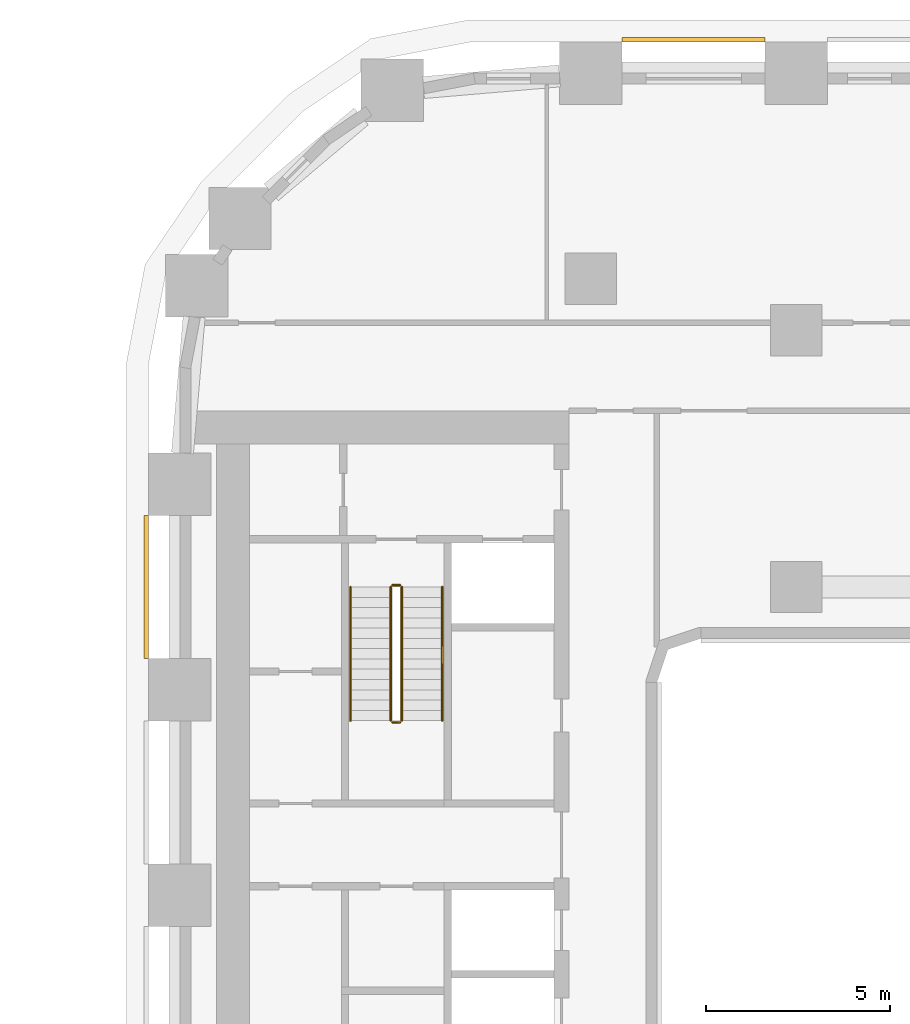
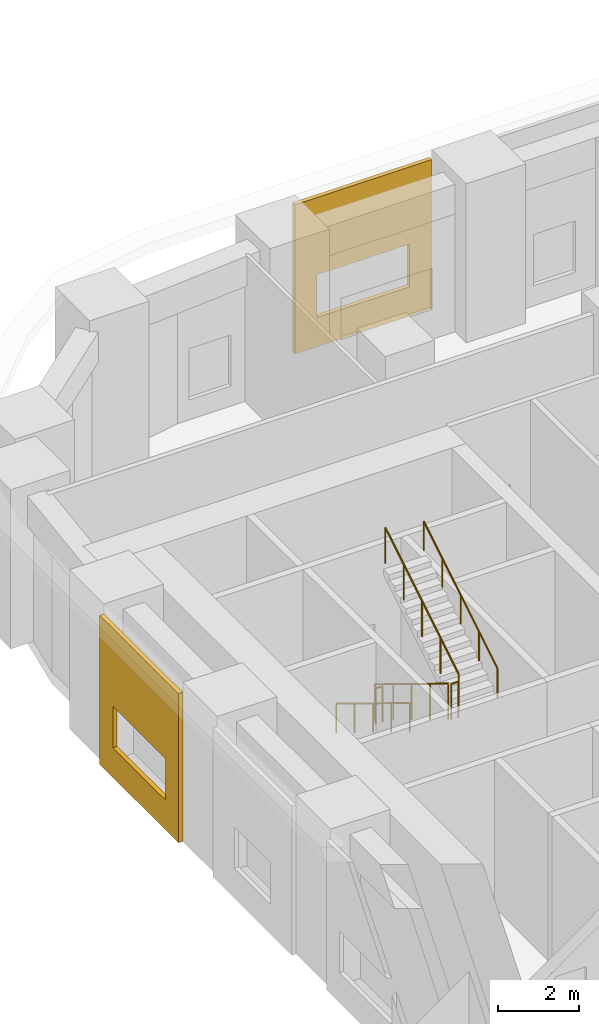
# One storey, part 31 of 35: 6 railings, 2 coverings.
"""IFC4 building model written with IfcOpenShell, lengths in metres."""

from ifc_helpers import new_model, si_unit, direction, frame, origin, origin_2d, place, context, subcontext, project, spatial, polyline, circle, outline, extrude, material, layer, layer_set, type_object, element, save


model = new_model("IFC4")

# Units and contexts
model_context = context("Model", 3, precision=1e-05, world=origin(), true_north=direction((0.0, 1.0)))
body_context = subcontext(model_context, "Body", "Model", "MODEL_VIEW")
ifc_project = project(units=[si_unit("LENGTHUNIT", "METRE"), si_unit("AREAUNIT", "SQUARE_METRE"), si_unit("VOLUMEUNIT", "CUBIC_METRE"), si_unit("PLANEANGLEUNIT", "RADIAN"), si_unit("MASSUNIT", "GRAM", prefix="KILO")], contexts=[model_context])

# Site, building, storey
site_placement = place(None, origin())
site = spatial("IfcSite", under=ifc_project, at=site_placement, CompositionType="ELEMENT")
building_placement = place(site_placement, origin())
building = spatial("IfcBuilding", under=site, at=building_placement, Name="Kiln Ring Residences", CompositionType="ELEMENT")
storey_placement = place(building_placement, frame((0.0, 0.0, 20.89990234375)))
storey = spatial("IfcBuildingStorey", under=building, at=storey_placement, Name="L04", CompositionType="ELEMENT", Elevation=20.89990234375)

# Railings
ifc_material_1 = material(Name="Stainless steel", Category="steel")
railing_type_1 = type_object("IfcRailingType", Name="CORE-STAIR-GUARD", PredefinedType="GUARDRAIL", material=ifc_material_1)
railing_1_placement = place(storey_placement, frame((-22.25, 8.39990234375, 0.171630859375)))
element("IfcRailing", 1, at=railing_1_placement, inside=storey, type_object=railing_type_1, Name="L04 W-STN stair guard 1", PredefinedType="GUARDRAIL", context=body_context, shape_type="SweptSolid", body=[
    extrude(circle(Radius=0.02392578125, at=origin_2d()), frame((0.0, 0.0, 1.076171875), z_axis=(0.0, -0.852850264322, 0.5221555579), x_axis=(1.0, 0.0, 0.0)), (0.0, 0.0, 1.0), 4.267822265625),
    extrude(circle(Radius=0.02099609375, at=origin_2d()), origin(), (0.0, 0.0, 1.0), 1.052001953125),
    extrude(circle(Radius=0.02099609375, at=origin_2d()), frame((0.0, -0.909912109375, 0.55712890625)), (0.0, 0.0, 1.0), 1.052001953125),
    extrude(circle(Radius=0.02099609375, at=origin_2d()), frame((0.0, -1.81982421875, 1.1142578125)), (0.0, 0.0, 1.0), 1.052001953125),
    extrude(circle(Radius=0.02099609375, at=origin_2d()), frame((0.0, -2.72998046875, 1.67138671875)), (0.0, 0.0, 1.0), 1.052001953125),
    extrude(circle(Radius=0.02099609375, at=origin_2d()), frame((0.0, -3.639892578125, 2.228515625)), (0.0, 0.0, 1.0), 1.052001953125),
])
railing_2_placement = place(storey_placement, frame((-22.199951171875, 4.7099609375, 2.400146484375)))
element("IfcRailing", 2, at=railing_2_placement, inside=storey, type_object=railing_type_1, Name="L04 W-STN stair guard 2", PredefinedType="GUARDRAIL", context=body_context, shape_type="SweptSolid", body=[
    extrude(circle(Radius=0.02392578125, at=origin_2d()), frame((0.0, 0.0, 1.076171875), z_axis=(1.0, 0.0, 0.0), x_axis=(0.0, 1.0, 0.0)), (0.0, 0.0, 1.0), 0.199951171875),
    extrude(circle(Radius=0.02099609375, at=origin_2d()), origin(), (0.0, 0.0, 1.0), 1.052001953125),
    extrude(circle(Radius=0.02099609375, at=origin_2d()), frame((0.199951171875, 0.0, 0.0)), (0.0, 0.0, 1.0), 1.052001953125),
])
railing_3_placement = place(storey_placement, frame((-21.949951171875, 4.760009765625, 2.571533203125)))
element("IfcRailing", 3, at=railing_3_placement, inside=storey, type_object=railing_type_1, Name="L04 W-STN stair guard 3", PredefinedType="GUARDRAIL", context=body_context, shape_type="SweptSolid", body=[
    extrude(circle(Radius=0.02392578125, at=origin_2d()), frame((0.0, 0.0, 1.076171875), z_axis=(0.0, 0.852850264322, 0.5221555579), x_axis=(-1.0, 0.0, 0.0)), (0.0, 0.0, 1.0), 4.267822265625),
    extrude(circle(Radius=0.02099609375, at=origin_2d()), origin(), (0.0, 0.0, 1.0), 1.052001953125),
    extrude(circle(Radius=0.02099609375, at=origin_2d()), frame((0.0, 0.909912109375, 0.55712890625)), (0.0, 0.0, 1.0), 1.052001953125),
    extrude(circle(Radius=0.02099609375, at=origin_2d()), frame((0.0, 1.81982421875, 1.1142578125)), (0.0, 0.0, 1.0), 1.052001953125),
    extrude(circle(Radius=0.02099609375, at=origin_2d()), frame((0.0, 2.72998046875, 1.67138671875)), (0.0, 0.0, 1.0), 1.052001953125),
    extrude(circle(Radius=0.02099609375, at=origin_2d()), frame((0.0, 3.639892578125, 2.228515625)), (0.0, 0.0, 1.0), 1.052001953125),
])
railing_4_placement = place(storey_placement, frame((-22.199951171875, 8.449951171875, 0.0)))
element("IfcRailing", 4, at=railing_4_placement, inside=storey, type_object=railing_type_1, Name="L04 W-STN stair guard 4", PredefinedType="GUARDRAIL", context=body_context, shape_type="SweptSolid", body=[
    extrude(circle(Radius=0.02392578125, at=origin_2d()), frame((0.0, 0.0, 1.076171875), z_axis=(1.0, 0.0, 0.0), x_axis=(0.0, 1.0, 0.0)), (0.0, 0.0, 1.0), 0.199951171875),
    extrude(circle(Radius=0.02099609375, at=origin_2d()), origin(), (0.0, 0.0, 1.0), 1.052001953125),
    extrude(circle(Radius=0.02099609375, at=origin_2d()), frame((0.199951171875, 0.0, 0.0)), (0.0, 0.0, 1.0), 1.052001953125),
])
ifc_material_2 = material(Name="Stainless steel", Category="steel")
railing_type_2 = type_object("IfcRailingType", Name="CORE-STAIR-HANDRAIL", PredefinedType="HANDRAIL", material=ifc_material_2)
railing_5_placement = place(storey_placement, frame((-23.35009765625, 8.39990234375, 0.171630859375)))
element("IfcRailing", 5, at=railing_5_placement, inside=storey, type_object=railing_type_2, Name="L04 W-STN stair handrail 1", PredefinedType="HANDRAIL", context=body_context, shape_type="SweptSolid", body=[
    extrude(circle(Radius=0.02392578125, at=origin_2d()), frame((0.0, 0.0, 0.8759765625), z_axis=(0.0, -0.852850264322, 0.5221555579), x_axis=(1.0, 0.0, 0.0)), (0.0, 0.0, 1.0), 4.267822265625),
    extrude(circle(Radius=0.02099609375, at=origin_2d()), origin(), (0.0, 0.0, 1.0), 0.851806640625),
    extrude(circle(Radius=0.02099609375, at=origin_2d()), frame((0.0, -0.909912109375, 0.55712890625)), (0.0, 0.0, 1.0), 0.851806640625),
    extrude(circle(Radius=0.02099609375, at=origin_2d()), frame((0.0, -1.81982421875, 1.1142578125)), (0.0, 0.0, 1.0), 0.851806640625),
    extrude(circle(Radius=0.02099609375, at=origin_2d()), frame((0.0, -2.72998046875, 1.67138671875)), (0.0, 0.0, 1.0), 0.851806640625),
    extrude(circle(Radius=0.02099609375, at=origin_2d()), frame((0.0, -3.639892578125, 2.228515625)), (0.0, 0.0, 1.0), 0.851806640625),
])
railing_6_placement = place(storey_placement, frame((-20.85009765625, 4.760009765625, 2.571533203125)))
element("IfcRailing", 6, at=railing_6_placement, inside=storey, type_object=railing_type_2, Name="L04 W-STN stair handrail 2", PredefinedType="HANDRAIL", context=body_context, shape_type="SweptSolid", body=[
    extrude(circle(Radius=0.02392578125, at=origin_2d()), frame((0.0, 0.0, 0.8759765625), z_axis=(0.0, 0.852850264322, 0.5221555579), x_axis=(-1.0, 0.0, 0.0)), (0.0, 0.0, 1.0), 4.267822265625),
    extrude(circle(Radius=0.02099609375, at=origin_2d()), origin(), (0.0, 0.0, 1.0), 0.851806640625),
    extrude(circle(Radius=0.02099609375, at=origin_2d()), frame((0.0, 0.909912109375, 0.55712890625)), (0.0, 0.0, 1.0), 0.851806640625),
    extrude(circle(Radius=0.02099609375, at=origin_2d()), frame((0.0, 1.81982421875, 1.1142578125)), (0.0, 0.0, 1.0), 0.851806640625),
    extrude(circle(Radius=0.02099609375, at=origin_2d()), frame((0.0, 2.72998046875, 1.67138671875)), (0.0, 0.0, 1.0), 0.851806640625),
    extrude(circle(Radius=0.02099609375, at=origin_2d()), frame((0.0, 3.639892578125, 2.228515625)), (0.0, 0.0, 1.0), 0.851806640625),
])

# Coverings
ifc_material_3 = material(Name="Brick masonry, dark clay brick", Category="masonry")
ifc_layer = layer(ifc_material_3, 0.1201171875)
ifc_layer_set = layer_set([ifc_layer], Name="RAINSCREEN PANEL 120")
covering_type = type_object("IfcCoveringType", Name="RAINSCREEN PANEL 120", PredefinedType="CLADDING", material=ifc_layer_set)
covering_1_placement = place(storey_placement, frame((-12.050048828125, 23.31005859375, 0.0), z_axis=(0.0, 0.0, 1.0), x_axis=(-1.0, 0.0, 0.0)))
element("IfcCovering", 7, at=covering_1_placement, inside=storey, type_object=covering_type, Name="RAINSCREEN L04", PredefinedType="CLADDING", context=body_context, shape_type="SweptSolid", body=[
    extrude(outline(polyline([(0.0, 0.0), (3.89990234375, 0.0), (3.89990234375, 4.5), (0.0, 4.5), (0.0, 0.0)]), holes=[polyline([(0.6298828125, 2.170166015625), (0.6298828125, 0.880126953125), (3.27001953125, 0.880126953125), (3.27001953125, 2.170166015625), (0.6298828125, 2.170166015625)])]), frame((0.0, 0.06005859375, 0.0), z_axis=(0.0, -1.0, 0.0), x_axis=(1.0, 0.0, 0.0)), (0.0, 0.0, 1.0), 0.1201171875),
])
covering_2_placement = place(storey_placement, frame((-28.909912109375, 10.35009765625, 0.0), z_axis=(0.0, 0.0, 1.0), x_axis=(0.0, -1.0, 0.0)))
element("IfcCovering", 8, at=covering_2_placement, inside=storey, type_object=covering_type, Name="RAINSCREEN L04", PredefinedType="CLADDING", context=body_context, shape_type="SweptSolid", body=[
    extrude(outline(polyline([(0.0, 0.0), (3.89990234375, 0.0), (3.89990234375, 4.5), (0.0, 4.5), (0.0, 0.0)]), holes=[polyline([(0.64990234375, 2.150146484375), (0.64990234375, 0.900146484375), (3.25, 0.900146484375), (3.25, 2.150146484375), (0.64990234375, 2.150146484375)])]), frame((0.0, 0.06005859375, 0.0), z_axis=(0.0, -1.0, 0.0), x_axis=(1.0, 0.0, 0.0)), (0.0, 0.0, 1.0), 0.1201171875),
])

save(model, "model.ifc")
